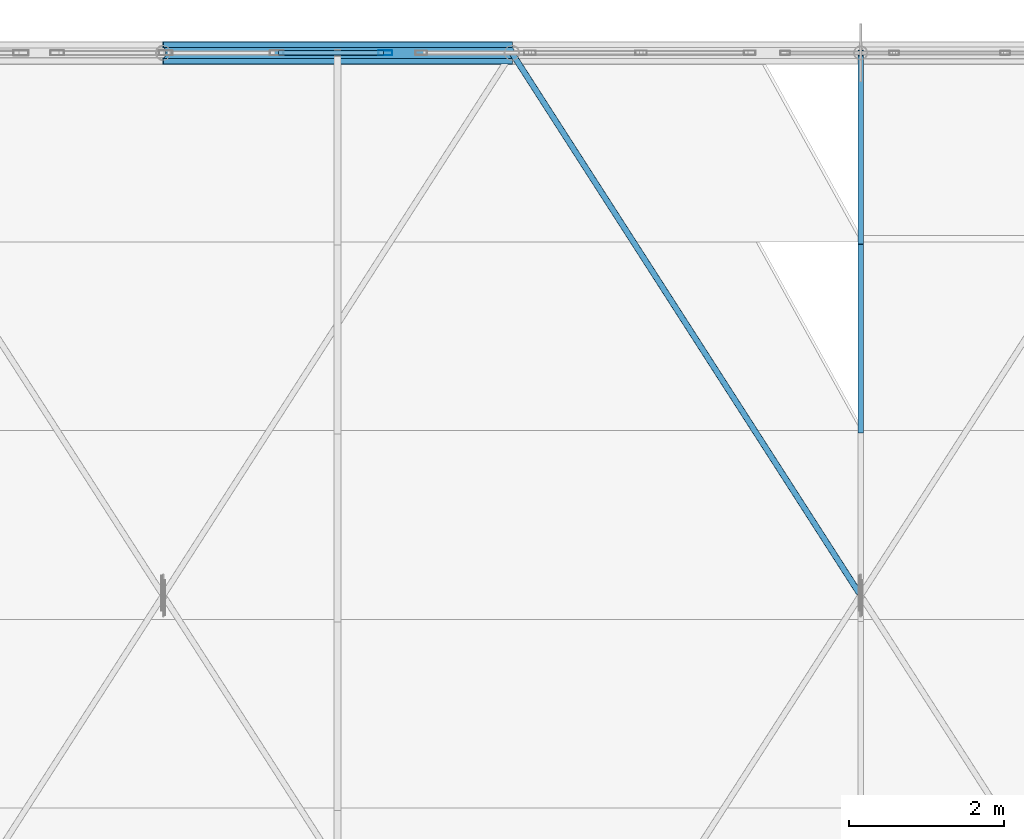
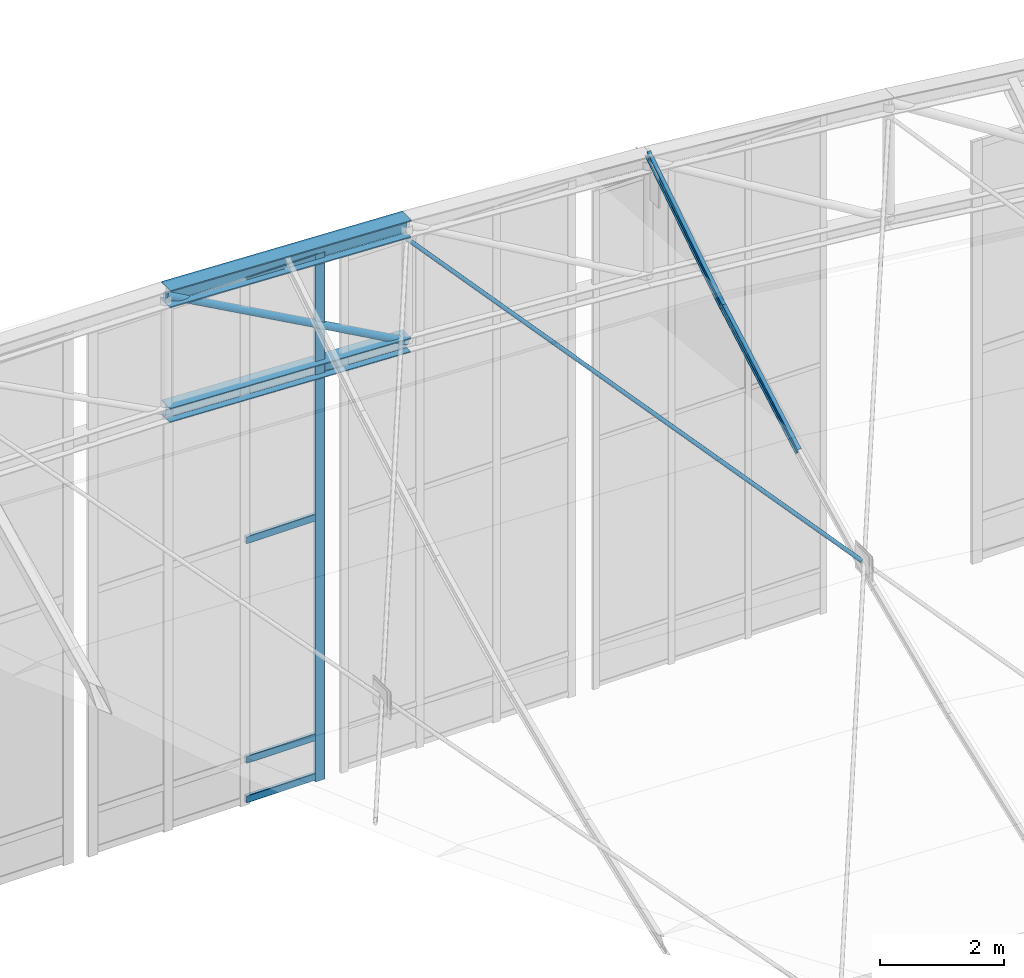
# One storey, part 212 of 262: 11 members, 1 element without a shape of its own.
"""IFC4 building model written with IfcOpenShell, lengths in metres."""

from ifc_helpers import new_model, si_unit, derived_unit, direction, frame, origin, origin_2d, place, context, subcontext, project, spatial, hollow_rectangle, hollow_circle, i_section, extrude, material, layer, layer_set, material_profile, profile_set, type_object, element, aggregate, save


model = new_model("IFC4")

# Units and contexts
model_context = context("Model", 3, precision=1e-05, world=origin(), true_north=direction((0.0, 1.0)))
body_context = subcontext(model_context, "Body", "Model", "MODEL_VIEW")
ifc_project = project(units=[si_unit("LENGTHUNIT", "METRE"), si_unit("AREAUNIT", "SQUARE_METRE"), si_unit("VOLUMEUNIT", "CUBIC_METRE"), si_unit("PLANEANGLEUNIT", "RADIAN"), si_unit("MASSUNIT", "GRAM", prefix="KILO"), derived_unit("THERMALTRANSMITTANCEUNIT", [(si_unit("POWERUNIT", "WATT"), 1), (si_unit("LENGTHUNIT", "METRE"), -2), (si_unit("THERMODYNAMICTEMPERATUREUNIT", "KELVIN"), -1)])], contexts=[model_context])

# Site, building, storey
site_placement = place(None, origin())
site = spatial("IfcSite", under=ifc_project, at=site_placement, CompositionType="ELEMENT")
building_placement = place(site_placement, origin())
building = spatial("IfcBuilding", under=site, at=building_placement, Name="Almenara Railside Exhibition Hall", CompositionType="ELEMENT")
storey_placement = place(building_placement, frame((0.0, 0.0, 21.699951171875)))
storey = spatial("IfcBuildingStorey", under=building, at=storey_placement, Name="RF", CompositionType="ELEMENT", Elevation=21.699951171875)

# Members
ifc_material_1 = material(Name="Structural steel S355JR", Category="steel")
ifc_material_profile_1 = material_profile(ifc_material_1, i_section(OverallWidth=0.280029296875, OverallDepth=0.280029296875, WebThickness=0.010498046875, FlangeThickness=0.01806640625, FilletRadius=0.02392578125, at=origin_2d()), Name="HEB 280")
ifc_profile_set_1 = profile_set([ifc_material_profile_1], Name="Structural steel S355JR")
member_type_1 = type_object("IfcMemberType", Name="Arched Gable Bottom Chord HEB 280 S355JR", PredefinedType="CHORD", material=ifc_profile_set_1)
member_1_placement = place(storey_placement, frame((169.5, 132.0, 1.538818359375), z_axis=(0.999173184279, 0.0, -0.040656460949), x_axis=(0.0, 1.0, 0.0)))
element("IfcMember", 1, at=member_1_placement, inside=storey, type_object=member_type_1, Name="MEM-BC-V2-07-07", PredefinedType="CHORD", context=body_context, shape_type="SweptSolid", body=[
    extrude(i_section(OverallWidth=0.280029296875, OverallDepth=0.280029296875, WebThickness=0.010498046875, FlangeThickness=0.01806640625, FilletRadius=0.02392578125, at=origin_2d()), origin(), (0.0, 0.0, 1.0), 4.503662109375),
])
ifc_material_profile_2 = material_profile(ifc_material_1, i_section(OverallWidth=0.300048828125, OverallDepth=0.340087890625, WebThickness=0.011962890625, FlangeThickness=0.021484375, FilletRadius=0.027099609375, at=origin_2d()), Name="HEB 340")
ifc_profile_set_2 = profile_set([ifc_material_profile_2], Name="Structural steel S355JR")
member_type_2 = type_object("IfcMemberType", Name="Arched Gable Top Chord HEB 340 S355JR", PredefinedType="CHORD", material=ifc_profile_set_2)
member_2_placement = place(storey_placement, frame((169.5, 132.0, 3.8388671875), z_axis=(0.99917098071, 0.0, -0.04071057978), x_axis=(0.0, 1.0, 0.0)))
element("IfcMember", 2, at=member_2_placement, inside=storey, type_object=member_type_2, Name="MEM-TC-V2-07-07", PredefinedType="CHORD", context=body_context, shape_type="SweptSolid", body=[
    extrude(i_section(OverallWidth=0.300048828125, OverallDepth=0.340087890625, WebThickness=0.011962890625, FlangeThickness=0.021484375, FilletRadius=0.027099609375, at=origin_2d()), origin(), (0.0, 0.0, 1.0), 4.503662109375),
])
ifc_material_profile_3 = material_profile(ifc_material_1, i_section(OverallWidth=0.072998046875, OverallDepth=0.139892578125, WebThickness=0.004638671875, FlangeThickness=0.0068359375, FilletRadius=0.007080078125, at=origin_2d()), Name="IPE 140")
ifc_profile_set_3 = profile_set([ifc_material_profile_3], Name="Structural steel S355JR")
member_type_3 = type_object("IfcMemberType", Name="Canopy Edge Purlin IPE 140 S355JR", PredefinedType="PURLIN", material=ifc_profile_set_3)
member_3_placement = place(storey_placement, frame((178.5, 127.126708984375, 0.5595703125), z_axis=(0.0, 0.870445855666, 0.492264169277), x_axis=(-1.0, 0.0, 0.0)))
element("IfcMember", 3, at=member_3_placement, inside=storey, type_object=member_type_3, Name="MEM-PR-V2-PR-IPE140-06-26", PredefinedType="PURLIN", context=body_context, shape_type="SweptSolid", body=[
    extrude(i_section(OverallWidth=0.072998046875, OverallDepth=0.139892578125, WebThickness=0.004638671875, FlangeThickness=0.0068359375, FilletRadius=0.007080078125, at=origin_2d()), origin(), (0.0, 0.0, 1.0), 2.799072265625),
])
member_4_placement = place(storey_placement, frame((178.5, 129.563232421875, 1.927734375), z_axis=(0.0, 0.842226955435, 0.539123135785), x_axis=(-1.0, 0.0, 0.0)))
element("IfcMember", 4, at=member_4_placement, inside=storey, type_object=member_type_3, Name="MEM-PR-V2-PR-IPE140-06-27", PredefinedType="PURLIN", context=body_context, shape_type="SweptSolid", body=[
    extrude(i_section(OverallWidth=0.072998046875, OverallDepth=0.139892578125, WebThickness=0.004638671875, FlangeThickness=0.0068359375, FilletRadius=0.007080078125, at=origin_2d()), origin(), (0.0, 0.0, 1.0), 2.893310546875),
])

# Curtain wall, members
ifc_material_2 = material(Name="Bronze-anodised aluminium and low-E double glazing", Category="aluminium")
ifc_layer = layer(ifc_material_2, 0.179931640625, Name="Bronze-anodised aluminium and low-E double glazing")
ifc_layer_set = layer_set([ifc_layer], Name="Bronze-anodised aluminium and low-E double glazing")
curtain_wall_type = type_object("IfcCurtainWallType", Name="Scroll Gable Tall Curtain Wall 3800x5400", PredefinedType="NOTDEFINED", material=ifc_layer_set)
curtain_wall_placement = place(storey_placement, origin())
curtain_wall = element("IfcCurtainWall", 5, at=curtain_wall_placement, inside=storey, type_object=curtain_wall_type, Name="Curtain wall CW-G1-229", PredefinedType="NOTDEFINED")
ifc_material_3 = material(Name="Bronze-anodised aluminium", Category="aluminium")
ifc_material_profile_4 = material_profile(ifc_material_3, hollow_rectangle(XDim=0.06494140625, YDim=0.179931640625, WallThickness=0.00390625, InnerFilletRadius=0.00390625, OuterFilletRadius=0.008056640625, at=origin_2d()), Name="ALU-MUL 65x180x4")
ifc_profile_set_4 = profile_set([ifc_material_profile_4], Name="Bronze-anodised aluminium")
member_type_4 = type_object("IfcMemberType", Name="Curtain Wall Mullion 65x180x4", PredefinedType="MULLION", material=ifc_profile_set_4)
member_5_placement = place(storey_placement, frame((172.367431640625, 132.0, -6.73486328125), z_axis=(0.0, 0.0, 1.0), x_axis=(0.0, 1.0, 0.0)))
member_5 = element("IfcMember", 6, at=member_5_placement, type_object=member_type_4, Name="CW-G1-229 mullion 4", PredefinedType="MULLION", context=body_context, shape_type="SweptSolid", body=[
    extrude(hollow_rectangle(XDim=0.06494140625, YDim=0.179931640625, WallThickness=0.00390625, InnerFilletRadius=0.00390625, OuterFilletRadius=0.008056640625, at=origin_2d()), origin(), (0.0, 0.0, 1.0), 10.405029296875),
])
ifc_material_profile_5 = material_profile(ifc_material_3, hollow_rectangle(XDim=0.06494140625, YDim=0.139892578125, WallThickness=0.00341796875, InnerFilletRadius=0.00341796875, OuterFilletRadius=0.007080078125, at=origin_2d()), Name="ALU-TRN 65x140x3.5")
ifc_profile_set_5 = profile_set([ifc_material_profile_5], Name="Bronze-anodised aluminium")
member_type_5 = type_object("IfcMemberType", Name="Curtain Wall Transom 65x140x3.5", PredefinedType="USERDEFINED", material=ifc_profile_set_5)
member_6_placement = place(storey_placement, frame((170.9912109375, 132.0, -6.6298828125), z_axis=(1.0, 0.0, 0.0), x_axis=(0.0, 1.0, 0.0)))
member_6 = element("IfcMember", 7, at=member_6_placement, type_object=member_type_5, Name="CW-G1-229 transom 3.1", ObjectType="TRANSOM", PredefinedType="USERDEFINED", context=body_context, shape_type="SweptSolid", body=[
    extrude(hollow_rectangle(XDim=0.06494140625, YDim=0.139892578125, WallThickness=0.00341796875, InnerFilletRadius=0.00341796875, OuterFilletRadius=0.007080078125, at=origin_2d()), origin(), (0.0, 0.0, 1.0), 1.351806640625),
])
member_7_placement = place(storey_placement, frame((170.9912109375, 132.0, -5.849853515625), z_axis=(1.0, 0.0, 0.0), x_axis=(0.0, 1.0, 0.0)))
member_7 = element("IfcMember", 8, at=member_7_placement, type_object=member_type_5, Name="CW-G1-229 transom 3.2", ObjectType="TRANSOM", PredefinedType="USERDEFINED", context=body_context, shape_type="SweptSolid", body=[
    extrude(hollow_rectangle(XDim=0.06494140625, YDim=0.139892578125, WallThickness=0.00341796875, InnerFilletRadius=0.00341796875, OuterFilletRadius=0.007080078125, at=origin_2d()), origin(), (0.0, 0.0, 1.0), 1.351806640625),
])
member_8_placement = place(storey_placement, frame((170.9912109375, 132.0, -1.514892578125), z_axis=(1.0, 0.0, 0.0), x_axis=(0.0, 1.0, 0.0)))
member_8 = element("IfcMember", 9, at=member_8_placement, type_object=member_type_5, Name="CW-G1-229 transom 3.3", ObjectType="TRANSOM", PredefinedType="USERDEFINED", context=body_context, shape_type="SweptSolid", body=[
    extrude(hollow_rectangle(XDim=0.06494140625, YDim=0.139892578125, WallThickness=0.00341796875, InnerFilletRadius=0.00341796875, OuterFilletRadius=0.007080078125, at=origin_2d()), origin(), (0.0, 0.0, 1.0), 1.351806640625),
])
member_9_placement = place(storey_placement, frame((170.9912109375, 132.0, 3.60009765625), z_axis=(1.0, 0.0, 0.0), x_axis=(0.0, 1.0, 0.0)))
member_9 = element("IfcMember", 10, at=member_9_placement, type_object=member_type_5, Name="CW-G1-229 transom 3.4", ObjectType="TRANSOM", PredefinedType="USERDEFINED", context=body_context, shape_type="SweptSolid", body=[
    extrude(hollow_rectangle(XDim=0.06494140625, YDim=0.139892578125, WallThickness=0.00341796875, InnerFilletRadius=0.00341796875, OuterFilletRadius=0.007080078125, at=origin_2d()), origin(), (0.0, 0.0, 1.0), 1.351806640625),
])
aggregate(curtain_wall, [member_5, member_6, member_7, member_8, member_9])

# Members
ifc_material_profile_6 = material_profile(ifc_material_1, hollow_circle(Radius=0.0380859375, WallThickness=0.003662109375, at=origin_2d()), Name="CHS 76.1x3.6")
ifc_profile_set_6 = profile_set([ifc_material_profile_6], Name="Structural steel S355JR")
member_type_6 = type_object("IfcMemberType", Name="Lantern Cross-Tie Brace CHS 76.1x3.6 S355JR", PredefinedType="BRACE", material=ifc_profile_set_6)
member_10_placement = place(storey_placement, frame((178.479248046875, 125.0322265625, -0.33203125), z_axis=(-0.493564822407, 0.76777347967, 0.408555565373), x_axis=(-0.841180390632, -0.540754612016, 0.0)))
element("IfcMember", 11, at=member_10_placement, inside=storey, type_object=member_type_6, Name="MEM-WB-V2-WB-CHS76-06-08-S2", PredefinedType="BRACE", context=body_context, shape_type="SweptSolid", body=[
    extrude(hollow_circle(Radius=0.0380859375, WallThickness=0.003662109375, at=origin_2d()), origin(), (0.0, 0.0, 1.0), 9.0751953125),
])
ifc_material_profile_7 = material_profile(ifc_material_1, hollow_circle(Radius=0.06982421875, WallThickness=0.0048828125, at=origin_2d()), Name="CHS 139.7x5")
ifc_profile_set_7 = profile_set([ifc_material_profile_7], Name="Structural steel S355JR")
member_type_7 = type_object("IfcMemberType", Name="Truss Inner Diagonal CHS 139.7x5 S355JR", PredefinedType="BRACE", material=ifc_profile_set_7)
member_11_placement = place(storey_placement, frame((169.5, 132.0, 3.8388671875), z_axis=(0.875545119572, 0.0, -0.483136361283), x_axis=(0.0, 1.0, 0.0)))
element("IfcMember", 12, at=member_11_placement, inside=storey, type_object=member_type_7, Name="MEM-TD-V2-07-07", PredefinedType="BRACE", context=body_context, shape_type="SweptSolid", body=[
    extrude(hollow_circle(Radius=0.06982421875, WallThickness=0.0048828125, at=origin_2d()), origin(), (0.0, 0.0, 1.0), 5.1396484375),
])

save(model, "model.ifc")
